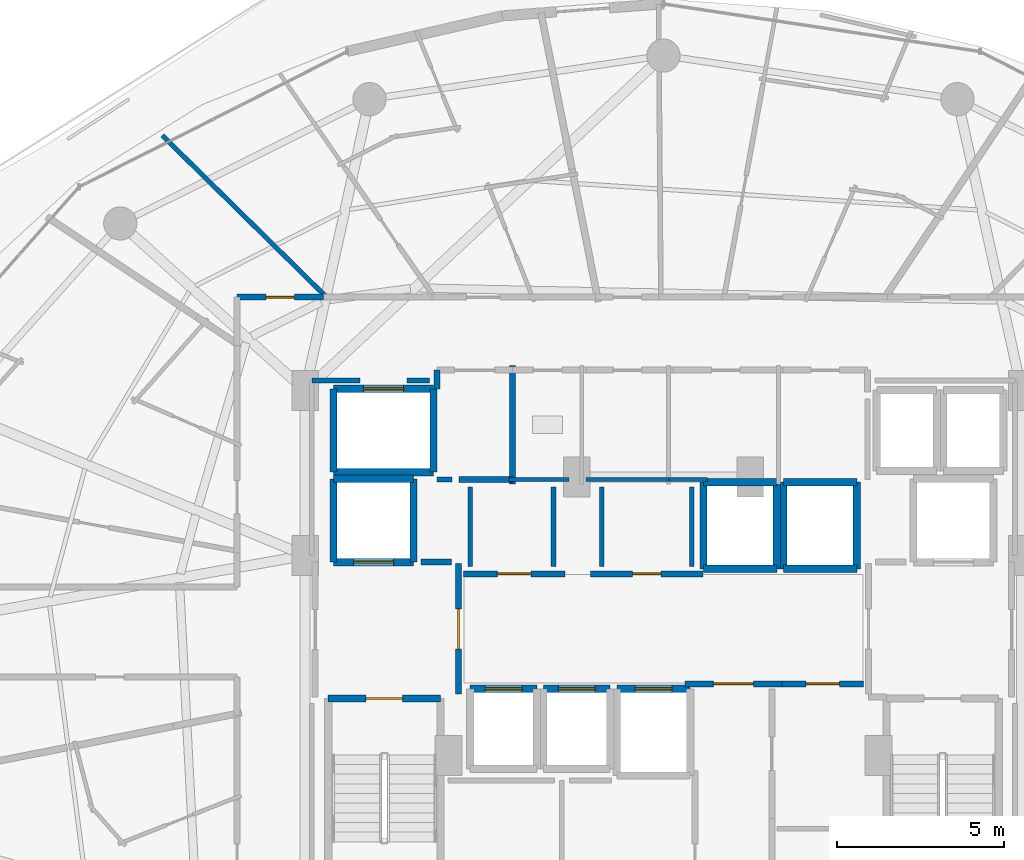
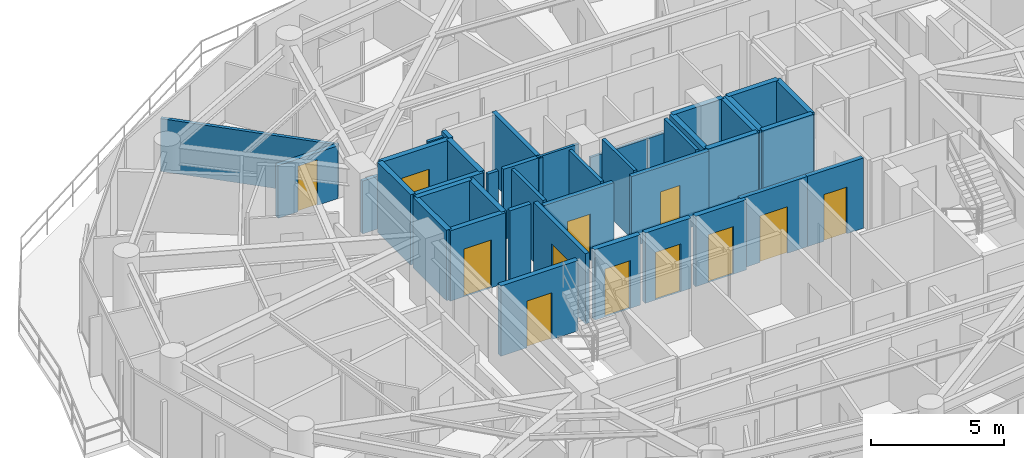
# One storey, part 23 of 30: 41 walls, 12 doors, 12 openings.
"""IFC4 building model written with IfcOpenShell, lengths in metres."""

from ifc_helpers import new_model, si_unit, direction, frame, frame_2d, origin, place, context, subcontext, project, spatial, rectangle, extrude, material, layer, layer_set, type_object, element, fill, save


model = new_model("IFC4")

# Units and contexts
model_context = context("Model", 3, precision=1e-05, world=origin(), true_north=direction((0.0, 1.0)))
body_context = subcontext(model_context, "Body", "Model", "MODEL_VIEW")
ifc_project = project(units=[si_unit("LENGTHUNIT", "METRE"), si_unit("AREAUNIT", "SQUARE_METRE"), si_unit("VOLUMEUNIT", "CUBIC_METRE"), si_unit("PLANEANGLEUNIT", "RADIAN"), si_unit("MASSUNIT", "GRAM", prefix="KILO")], contexts=[model_context])

# Site, building, storey
site_placement = place(None, origin())
site = spatial("IfcSite", under=ifc_project, at=site_placement, CompositionType="ELEMENT")
building_placement = place(site_placement, origin())
building = spatial("IfcBuilding", under=site, at=building_placement, Name="Vorneva Point Tower", CompositionType="ELEMENT")
storey_placement = place(building_placement, frame((0.0, 0.0, 157.10009765625)))
storey = spatial("IfcBuildingStorey", under=building, at=storey_placement, Name="L42", CompositionType="ELEMENT", Elevation=157.10009765625)

# Wall, opening, door
ifc_material_1 = material(Name="Concrete B60 (C50/60)", Category="concrete")
ifc_layer_1 = layer(ifc_material_1, 0.5)
ifc_layer_set_1 = layer_set([ifc_layer_1], Name="Concrete B60 (C50/60)")
wall_type_1 = type_object("IfcWallType", Name="WL-CORE-500", PredefinedType="SHEAR", material=ifc_layer_set_1)
wall_1_placement = place(storey_placement, frame((28.10009765625, 28.0, 0.0), z_axis=(0.0, 0.0, 1.0), x_axis=(1.0, 0.0, 0.0)))
wall_1 = element("IfcWall", 1, at=wall_1_placement, inside=storey, type_object=wall_type_1, Name="L42 Lift FFL1 Shaft Wall -Y", PredefinedType="SHEAR", context=body_context, shape_type="SweptSolid", body=[
    extrude(rectangle(XDim=2.39990234375, YDim=0.219970703125, at=frame_2d((1.199951171875, 0.0))), origin(), (0.0, 0.0, 1.0), 3.239990234375),
])
opening_1_placement = place(wall_1_placement, frame((0.60009765625, 0.0, 0.0)))
opening_1 = element("IfcOpeningElement", 2, at=opening_1_placement, cuts=wall_1, Name="Opening LD-02", PredefinedType="OPENING", context=body_context, shape_type="SweptSolid", body=[
    extrude(rectangle(XDim=1.199951171875, YDim=2.199951171875, at=frame_2d((0.60009765625, 1.10009765625))), frame((0.0, 0.125, 0.0), z_axis=(0.0, -1.0, 0.0), x_axis=(1.0, 0.0, 0.0)), (0.0, 0.0, 1.0), 0.249755859375),
])
ifc_material_2 = material(Name="Brushed stainless steel S304", Category="steel")
door_type_1 = type_object("IfcDoorType", Name="LD-FIRE-1200", OperationType="SLIDING_TO_LEFT", PredefinedType="DOOR", material=ifc_material_2)
door_1_placement = place(opening_1_placement, origin())
door_1 = element("IfcDoor", 3, at=door_1_placement, inside=storey, type_object=door_type_1, Name="L42 Lift FFL1 Sliding Landing Door", OperationType="SLIDING_TO_LEFT", OverallHeight=2.199951171875, OverallWidth=1.199951171875, PredefinedType="DOOR", context=body_context, shape_type="SweptSolid", body=[
    extrude(rectangle(XDim=1.199951171875, YDim=2.199951171875, at=frame_2d((0.60009765625, 1.10009765625))), frame((0.0, 0.02490234375, 0.0), z_axis=(0.0, -1.0, 0.0), x_axis=(1.0, 0.0, 0.0)), (0.0, 0.0, 1.0), 0.050048828125),
])
fill(opening_1, door_1)

# Walls
wall_2_placement = place(storey_placement, frame((30.5, 28.0, 0.0), z_axis=(0.0, 0.0, 1.0), x_axis=(0.0, 1.0, 0.0)))
element("IfcWall", 4, at=wall_2_placement, inside=storey, type_object=wall_type_1, Name="L42 Lift FFL1 Shaft Wall +X", PredefinedType="SHEAR", context=body_context, shape_type="SweptSolid", body=[
    extrude(rectangle(XDim=2.5, YDim=0.219970703125, at=frame_2d((1.25, 0.0))), origin(), (0.0, 0.0, 1.0), 3.239990234375),
])
wall_3_placement = place(storey_placement, frame((30.5, 30.5, 0.0), z_axis=(0.0, 0.0, 1.0), x_axis=(-1.0, 0.0, 0.0)))
element("IfcWall", 5, at=wall_3_placement, inside=storey, type_object=wall_type_1, Name="L42 Lift FFL1 Shaft Wall +Y", PredefinedType="SHEAR", context=body_context, shape_type="SweptSolid", body=[
    extrude(rectangle(XDim=2.39990234375, YDim=0.219970703125, at=frame_2d((1.199951171875, 0.0))), origin(), (0.0, 0.0, 1.0), 3.239990234375),
])
wall_4_placement = place(storey_placement, frame((28.10009765625, 30.5, 0.0), z_axis=(0.0, 0.0, 1.0), x_axis=(0.0, -1.0, 0.0)))
element("IfcWall", 6, at=wall_4_placement, inside=storey, type_object=wall_type_1, Name="L42 Lift FFL1 Shaft Wall -X", PredefinedType="SHEAR", context=body_context, shape_type="SweptSolid", body=[
    extrude(rectangle(XDim=2.5, YDim=0.219970703125, at=frame_2d((1.25, 0.0))), origin(), (0.0, 0.0, 1.0), 3.239990234375),
])
ifc_material_3 = material(Name="Fire-rated acoustic gypsum stud partition", Category="gypsum")
ifc_layer_2 = layer(ifc_material_3, 0.110107421875)
ifc_layer_set_2 = layer_set([ifc_layer_2], Name="Fire-rated acoustic gypsum stud partition")
wall_type_2 = type_object("IfcWallType", Name="WL-PART-110", PredefinedType="PARTITIONING", material=ifc_layer_set_2)
wall_5_placement = place(storey_placement, frame((33.360107421875, 30.47998046875, 0.0), z_axis=(0.0, 0.0, 1.0), x_axis=(1.0, 0.0, 0.0)))
element("IfcWall", 7, at=wall_5_placement, inside=storey, type_object=wall_type_2, Name="L42 Interior Partition 021", PredefinedType="PARTITIONING", context=body_context, shape_type="SweptSolid", body=[
    extrude(rectangle(XDim=1.809814453125, YDim=0.110107421875, at=frame_2d((0.90478515625, 0.0))), origin(), (0.0, 0.0, 1.0), 3.239990234375),
])
wall_6_placement = place(storey_placement, frame((35.679931640625, 30.47998046875, 0.0), z_axis=(0.0, 0.0, 1.0), x_axis=(1.0, 0.0, 0.0)))
element("IfcWall", 8, at=wall_6_placement, inside=storey, type_object=wall_type_2, Name="L42 Interior Partition 024", PredefinedType="PARTITIONING", context=body_context, shape_type="SweptSolid", body=[
    extrude(rectangle(XDim=2.594970703125, YDim=0.110107421875, at=frame_2d((1.29736328125, 0.0))), origin(), (0.0, 0.0, 1.0), 2.431884765625),
])
wall_7_placement = place(storey_placement, frame((38.1650390625, 30.47998046875, 0.0), z_axis=(0.0, 0.0, 1.0), x_axis=(1.0, 0.0, 0.0)))
element("IfcWall", 9, at=wall_7_placement, inside=storey, type_object=wall_type_2, Name="L42 Interior Partition 027", PredefinedType="PARTITIONING", context=body_context, shape_type="SweptSolid", body=[
    extrude(rectangle(XDim=1.155029296875, YDim=0.110107421875, at=frame_2d((0.57763671875, 0.0))), origin(), (0.0, 0.0, 1.0), 2.431884765625),
])
ifc_layer_3 = layer(ifc_material_3, 0.139892578125)
ifc_layer_set_3 = layer_set([ifc_layer_3], Name="Fire-rated acoustic gypsum stud partition")
wall_type_3 = type_object("IfcWallType", Name="WL-PART-140", PredefinedType="PARTITIONING", material=ifc_layer_set_3)
wall_8_placement = place(storey_placement, frame((22.9599609375, 40.805908203125, 0.0), z_axis=(0.0, 0.0, 1.0), x_axis=(0.712587980465, -0.70158276069, 0.0)))
element("IfcWall", 10, at=wall_8_placement, inside=storey, type_object=wall_type_3, Name="L42 Interior Partition 102", PredefinedType="PARTITIONING", context=body_context, shape_type="SweptSolid", body=[
    extrude(rectangle(XDim=6.92138671875, YDim=0.139892578125, at=frame_2d((3.460693359375, 0.0))), origin(), (0.0, 0.0, 1.0), 2.431884765625),
])
wall_9_placement = place(storey_placement, frame((31.199951171875, 30.47998046875, 0.0), z_axis=(0.0, 0.0, 1.0), x_axis=(1.0, 0.0, 0.0)))
element("IfcWall", 11, at=wall_9_placement, inside=storey, type_object=wall_type_3, Name="L42 Interior Closure Partition 146", PredefinedType="PARTITIONING", context=body_context, shape_type="SweptSolid", body=[
    extrude(rectangle(XDim=0.449951171875, YDim=0.139892578125, at=frame_2d((0.22509765625, 0.0))), origin(), (0.0, 0.0, 1.0), 3.239990234375),
])
for number, where, z_axis, x_axis, name in (
    (12, (32.199951171875, 30.260009765625, 0.0), (0.0, 0.0, 1.0), (0.0, -1.0, 0.0), "L42 Interior Closure Partition 150"),
    (13, (34.699951171875, 27.8701171875, 0.0), (0.0, 0.0, 1.0), (0.0, 1.0, 0.0), "L42 Interior Closure Partition 151"),
    (14, (36.14990234375, 30.260009765625, 0.0), (0.0, 0.0, 1.0), (0.0, -1.0, 0.0), "L42 Interior Closure Partition 152"),
    (15, (38.85009765625, 27.8701171875, 0.0), (0.0, 0.0, 1.0), (0.0, 1.0, 0.0), "L42 Interior Closure Partition 153"),
):
    element("IfcWall", number, at=place(storey_placement, frame(where, z_axis=z_axis, x_axis=x_axis)), inside=storey, type_object=wall_type_3, Name=name, PredefinedType="PARTITIONING", context=body_context, shape_type="SweptSolid", body=[
        extrude(rectangle(XDim=2.389892578125, YDim=0.139892578125, at=frame_2d((1.19482421875, 0.0))), origin(), (0.0, 0.0, 1.0), 3.239990234375),
    ])
wall_10_placement = place(storey_placement, frame((30.97998046875, 33.449951171875, 0.0), z_axis=(0.0, 0.0, 1.0), x_axis=(-1.0, 0.0, 0.0)))
element("IfcWall", 16, at=wall_10_placement, inside=storey, type_object=wall_type_3, Name="L42 Interior Closure Partition 156", PredefinedType="PARTITIONING", context=body_context, shape_type="SweptSolid", body=[
    extrude(rectangle(XDim=0.674072265625, YDim=0.139892578125, at=frame_2d((0.3369140625, 0.0))), origin(), (0.0, 0.0, 1.0), 3.239990234375),
])
wall_11_placement = place(storey_placement, frame((28.89404296875, 33.449951171875, 0.0), z_axis=(0.0, 0.0, 1.0), x_axis=(-1.0, 0.0, 0.0)))
element("IfcWall", 17, at=wall_11_placement, inside=storey, type_object=wall_type_3, Name="L42 Interior Closure Partition 157", PredefinedType="PARTITIONING", context=body_context, shape_type="SweptSolid", body=[
    extrude(rectangle(XDim=1.444091796875, YDim=0.139892578125, at=frame_2d((0.72216796875, 0.0))), origin(), (0.0, 0.0, 1.0), 2.431884765625),
])

# Wall, opening, door
ifc_material_4 = material(Name="Autoclaved aerated concrete blockwork", Category="masonry")
ifc_layer_4 = layer(ifc_material_4, 0.179931640625)
ifc_layer_set_4 = layer_set([ifc_layer_4], Name="Autoclaved aerated concrete blockwork")
wall_type_4 = type_object("IfcWallType", Name="WL-PART-180", PredefinedType="PARTITIONING", material=ifc_layer_set_4)
wall_12_placement = place(storey_placement, frame((31.85009765625, 24.044921875, 0.0), z_axis=(0.0, 0.0, 1.0), x_axis=(0.0, 1.0, 0.0)))
wall_12 = element("IfcWall", 18, at=wall_12_placement, inside=storey, type_object=wall_type_4, Name="L42 Interior Partition 001", PredefinedType="PARTITIONING", context=body_context, shape_type="SweptSolid", body=[
    extrude(rectangle(XDim=3.91015625, YDim=0.179931640625, at=frame_2d((1.955078125, 0.0))), origin(), (0.0, 0.0, 1.0), 3.239990234375),
])
opening_2_placement = place(wall_12_placement, frame((1.35498046875, 0.0, 0.0)))
opening_2 = element("IfcOpeningElement", 19, at=opening_2_placement, cuts=wall_12, Name="Opening FD-02", PredefinedType="OPENING", context=body_context, shape_type="SweptSolid", body=[
    extrude(rectangle(XDim=1.199951171875, YDim=2.14990234375, at=frame_2d((0.60009765625, 1.074951171875))), frame((0.0, 0.10498046875, 0.0), z_axis=(0.0, -1.0, 0.0), x_axis=(1.0, 0.0, 0.0)), (0.0, 0.0, 1.0), 0.209716796875),
])
ifc_material_5 = material(Name="Fire-rated powder-coated steel", Category="steel")
door_type_2 = type_object("IfcDoorType", Name="DR-FFL-1200", OperationType="NOTDEFINED", PredefinedType="DOOR", material=ifc_material_5)
door_2_placement = place(opening_2_placement, origin())
door_2 = element("IfcDoor", 20, at=door_2_placement, inside=storey, type_object=door_type_2, Name="L42 Door West Firefighting Lobby / Central Lift Lobby", OperationType="SINGLE_SWING_RIGHT", OverallHeight=2.14990234375, OverallWidth=1.199951171875, PredefinedType="DOOR", context=body_context, shape_type="SweptSolid", body=[
    extrude(rectangle(XDim=1.199951171875, YDim=2.14990234375, at=frame_2d((0.60009765625, 1.074951171875))), frame((0.0, 0.02490234375, 0.0), z_axis=(0.0, -1.0, 0.0), x_axis=(1.0, 0.0, 0.0)), (0.0, 0.0, 1.0), 0.050048828125),
])
fill(opening_2, door_2)

# Walls
wall_13_placement = place(storey_placement, frame((33.469970703125, 30.340087890625, 0.0), z_axis=(0.0, 0.0, 1.0), x_axis=(0.0, 1.0, 0.0)))
element("IfcWall", 21, at=wall_13_placement, inside=storey, type_object=wall_type_4, Name="L42 Interior Partition 006", PredefinedType="PARTITIONING", context=body_context, shape_type="SweptSolid", body=[
    extrude(rectangle(XDim=3.559814453125, YDim=0.179931640625, at=frame_2d((1.77978515625, 0.0))), origin(), (0.0, 0.0, 1.0), 3.239990234375),
])
wall_14_placement = place(storey_placement, frame((31.8701171875, 30.47998046875, 0.0), z_axis=(0.0, 0.0, 1.0), x_axis=(1.0, 0.0, 0.0)))
element("IfcWall", 22, at=wall_14_placement, inside=storey, type_object=wall_type_4, Name="L42 Interior Partition 007", PredefinedType="PARTITIONING", context=body_context, shape_type="SweptSolid", body=[
    extrude(rectangle(XDim=1.599853515625, YDim=0.179931640625, at=frame_2d((0.7998046875, 0.0))), origin(), (0.0, 0.0, 1.0), 3.239990234375),
])
wall_15_placement = place(storey_placement, frame((31.199951171875, 33.760009765625, 0.0), z_axis=(0.0, 0.0, 1.0), x_axis=(0.0, -1.0, 0.0)))
element("IfcWall", 23, at=wall_15_placement, inside=storey, type_object=wall_type_4, Name="L42 Interior Partition 009", PredefinedType="PARTITIONING", context=body_context, shape_type="SweptSolid", body=[
    extrude(rectangle(XDim=0.56005859375, YDim=0.179931640625, at=frame_2d((0.280029296875, 0.0))), origin(), (0.0, 0.0, 1.0), 3.239990234375),
])

# Wall, opening, door
wall_16_placement = place(storey_placement, frame((38.64501953125, 24.35009765625, 0.0), z_axis=(0.0, 0.0, 1.0), x_axis=(1.0, 0.0, 0.0)))
wall_16 = element("IfcWall", 24, at=wall_16_placement, inside=storey, type_object=wall_type_4, Name="L42 Interior Partition 010", PredefinedType="PARTITIONING", context=body_context, shape_type="SweptSolid", body=[
    extrude(rectangle(XDim=2.909912109375, YDim=0.179931640625, at=frame_2d((1.455078125, 0.0))), origin(), (0.0, 0.0, 1.0), 3.239990234375),
])
opening_3_placement = place(wall_16_placement, frame((0.85498046875, 0.0, 0.0)))
opening_3 = element("IfcOpeningElement", 25, at=opening_3_placement, cuts=wall_16, Name="Opening FD-02", PredefinedType="OPENING", context=body_context, shape_type="SweptSolid", body=[
    extrude(rectangle(XDim=1.199951171875, YDim=2.14990234375, at=frame_2d((0.60009765625, 1.074951171875))), frame((0.0, 0.10498046875, 0.0), z_axis=(0.0, -1.0, 0.0), x_axis=(1.0, 0.0, 0.0)), (0.0, 0.0, 1.0), 0.209716796875),
])
door_3_placement = place(opening_3_placement, origin())
door_3 = element("IfcDoor", 26, at=door_3_placement, inside=storey, type_object=door_type_2, Name="L42 Door Central Lift Lobby / Core Service Lobby", OperationType="SINGLE_SWING_LEFT", OverallHeight=2.14990234375, OverallWidth=1.199951171875, PredefinedType="DOOR", context=body_context, shape_type="SweptSolid", body=[
    extrude(rectangle(XDim=1.199951171875, YDim=2.14990234375, at=frame_2d((0.60009765625, 1.074951171875))), frame((0.0, 0.02490234375, 0.0), z_axis=(0.0, -1.0, 0.0), x_axis=(1.0, 0.0, 0.0)), (0.0, 0.0, 1.0), 0.050048828125),
])
fill(opening_3, door_3)

wall_17_placement = place(storey_placement, frame((41.554931640625, 24.35009765625, 0.0), z_axis=(0.0, 0.0, 1.0), x_axis=(1.0, 0.0, 0.0)))
wall_17 = element("IfcWall", 27, at=wall_17_placement, inside=storey, type_object=wall_type_4, Name="L42 Interior Partition 011", PredefinedType="PARTITIONING", context=body_context, shape_type="SweptSolid", body=[
    extrude(rectangle(XDim=2.445068359375, YDim=0.179931640625, at=frame_2d((1.22265625, 0.0))), origin(), (0.0, 0.0, 1.0), 3.239990234375),
])
opening_4_placement = place(wall_17_placement, frame((0.722412109375, 0.0, 0.0)))
opening_4 = element("IfcOpeningElement", 28, at=opening_4_placement, cuts=wall_17, Name="Opening UD-01", PredefinedType="OPENING", context=body_context, shape_type="SweptSolid", body=[
    extrude(rectangle(XDim=1.0, YDim=2.14990234375, at=frame_2d((0.5, 1.074951171875))), frame((0.0, 0.10498046875, 0.0), z_axis=(0.0, -1.0, 0.0), x_axis=(1.0, 0.0, 0.0)), (0.0, 0.0, 1.0), 0.209716796875),
])
ifc_material_6 = material(Name="Engineered oak fire-rated door leaf", Category="wood")
door_type_3 = type_object("IfcDoorType", Name="DR-UNIT-1000", OperationType="NOTDEFINED", PredefinedType="DOOR", material=ifc_material_6)
door_4_placement = place(opening_4_placement, origin())
door_4 = element("IfcDoor", 29, at=door_4_placement, inside=storey, type_object=door_type_3, Name="L42 Door Central Lift Lobby / Floor Management Office", OperationType="SINGLE_SWING_RIGHT", OverallHeight=2.14990234375, OverallWidth=1.0, PredefinedType="DOOR", context=body_context, shape_type="SweptSolid", body=[
    extrude(rectangle(XDim=1.0, YDim=2.14990234375, at=frame_2d((0.5, 1.074951171875))), frame((0.0, 0.02490234375, 0.0), z_axis=(0.0, -1.0, 0.0), x_axis=(1.0, 0.0, 0.0)), (0.0, 0.0, 1.0), 0.050048828125),
])
fill(opening_4, door_4)

wall_18_placement = place(storey_placement, frame((35.0400390625, 27.64990234375, 0.0), z_axis=(0.0, 0.0, 1.0), x_axis=(-1.0, 0.0, 0.0)))
wall_18 = element("IfcWall", 30, at=wall_18_placement, inside=storey, type_object=wall_type_4, Name="L42 Interior Partition 012", PredefinedType="PARTITIONING", context=body_context, shape_type="SweptSolid", body=[
    extrude(rectangle(XDim=3.0400390625, YDim=0.179931640625, at=frame_2d((1.52001953125, 0.0))), origin(), (0.0, 0.0, 1.0), 3.239990234375),
])
opening_5_placement = place(wall_18_placement, frame((1.02001953125, 0.0, 0.0)))
opening_5 = element("IfcOpeningElement", 31, at=opening_5_placement, cuts=wall_18, Name="Opening UD-01", PredefinedType="OPENING", context=body_context, shape_type="SweptSolid", body=[
    extrude(rectangle(XDim=1.0, YDim=2.14990234375, at=frame_2d((0.5, 1.074951171875))), frame((0.0, 0.10498046875, 0.0), z_axis=(0.0, -1.0, 0.0), x_axis=(1.0, 0.0, 0.0)), (0.0, 0.0, 1.0), 0.209716796875),
])
door_5_placement = place(opening_5_placement, origin())
door_5 = element("IfcDoor", 32, at=door_5_placement, inside=storey, type_object=door_type_3, Name="L42 Door Central Lift Lobby / Reclaimed Core Lounge", OperationType="SINGLE_SWING_LEFT", OverallHeight=2.14990234375, OverallWidth=1.0, PredefinedType="DOOR", context=body_context, shape_type="SweptSolid", body=[
    extrude(rectangle(XDim=1.0, YDim=2.14990234375, at=frame_2d((0.5, 1.074951171875))), frame((0.0, 0.02490234375, 0.0), z_axis=(0.0, -1.0, 0.0), x_axis=(1.0, 0.0, 0.0)), (0.0, 0.0, 1.0), 0.050048828125),
])
fill(opening_5, door_5)

wall_19_placement = place(storey_placement, frame((39.18994140625, 27.64990234375, 0.0), z_axis=(0.0, 0.0, 1.0), x_axis=(-1.0, 0.0, 0.0)))
wall_19 = element("IfcWall", 33, at=wall_19_placement, inside=storey, type_object=wall_type_4, Name="L42 Interior Partition 013", PredefinedType="PARTITIONING", context=body_context, shape_type="SweptSolid", body=[
    extrude(rectangle(XDim=3.3798828125, YDim=0.179931640625, at=frame_2d((1.68994140625, 0.0))), origin(), (0.0, 0.0, 1.0), 3.239990234375),
])
opening_6_placement = place(wall_19_placement, frame((1.264892578125, 0.0, 0.0)))
opening_6 = element("IfcOpeningElement", 34, at=opening_6_placement, cuts=wall_19, Name="Opening ID-02", PredefinedType="OPENING", context=body_context, shape_type="SweptSolid", body=[
    extrude(rectangle(XDim=0.85009765625, YDim=2.10009765625, at=frame_2d((0.425048828125, 1.050048828125))), frame((0.0, 0.10498046875, 0.0), z_axis=(0.0, -1.0, 0.0), x_axis=(1.0, 0.0, 0.0)), (0.0, 0.0, 1.0), 0.209716796875),
])
door_type_4 = type_object("IfcDoorType", Name="DR-BATH-850", OperationType="NOTDEFINED", PredefinedType="DOOR", material=ifc_material_6)
door_6_placement = place(opening_6_placement, origin())
door_6 = element("IfcDoor", 35, at=door_6_placement, inside=storey, type_object=door_type_4, Name="L42 Door Central Lift Lobby / Reclaimed Core Archive Store", OperationType="SINGLE_SWING_RIGHT", OverallHeight=2.10009765625, OverallWidth=0.85009765625, PredefinedType="DOOR", context=body_context, shape_type="SweptSolid", body=[
    extrude(rectangle(XDim=0.85009765625, YDim=2.10009765625, at=frame_2d((0.425048828125, 1.050048828125))), frame((0.0, 0.02490234375, 0.0), z_axis=(0.0, -1.0, 0.0), x_axis=(1.0, 0.0, 0.0)), (0.0, 0.0, 1.0), 0.050048828125),
])
fill(opening_6, door_6)

wall_20_placement = place(storey_placement, frame((27.805908203125, 35.949951171875, 0.0), z_axis=(0.0, 0.0, 1.0), x_axis=(-1.0, 0.0, 0.0)))
wall_20 = element("IfcWall", 36, at=wall_20_placement, inside=storey, type_object=wall_type_4, Name="L42 Interior Partition 046", PredefinedType="PARTITIONING", context=body_context, shape_type="SweptSolid", body=[
    extrude(rectangle(XDim=2.60595703125, YDim=0.179931640625, at=frame_2d((1.302978515625, 0.0))), origin(), (0.0, 0.0, 1.0), 2.431884765625),
])
opening_7_placement = place(wall_20_placement, frame((0.8779296875, 0.0, 0.0)))
opening_7 = element("IfcOpeningElement", 37, at=opening_7_placement, cuts=wall_20, Name="Opening ID-02", PredefinedType="OPENING", context=body_context, shape_type="SweptSolid", body=[
    extrude(rectangle(XDim=0.85009765625, YDim=2.10009765625, at=frame_2d((0.425048828125, 1.050048828125))), frame((0.0, 0.10498046875, 0.0), z_axis=(0.0, -1.0, 0.0), x_axis=(1.0, 0.0, 0.0)), (0.0, 0.0, 1.0), 0.209716796875),
])
door_7_placement = place(opening_7_placement, origin())
door_7 = element("IfcDoor", 38, at=door_7_placement, inside=storey, type_object=door_type_4, Name="L42 Access Door L42 Circulation Corridor", OperationType="SINGLE_SWING_LEFT", OverallHeight=2.10009765625, OverallWidth=0.85009765625, PredefinedType="DOOR", context=body_context, shape_type="SweptSolid", body=[
    extrude(rectangle(XDim=0.85009765625, YDim=2.10009765625, at=frame_2d((0.425048828125, 1.050048828125))), frame((0.0, 0.02490234375, 0.0), z_axis=(0.0, -1.0, 0.0), x_axis=(1.0, 0.0, 0.0)), (0.0, 0.0, 1.0), 0.050048828125),
])
fill(opening_7, door_7)

# Wall
wall_21_placement = place(storey_placement, frame((31.635009765625, 28.0, 0.0), z_axis=(0.0, 0.0, 1.0), x_axis=(-1.0, 0.0, 0.0)))
element("IfcWall", 39, at=wall_21_placement, inside=storey, type_object=wall_type_4, Name="L42 Interior Closure Partition 144", PredefinedType="PARTITIONING", context=body_context, shape_type="SweptSolid", body=[
    extrude(rectangle(XDim=0.9150390625, YDim=0.179931640625, at=frame_2d((0.45751953125, 0.0))), origin(), (0.0, 0.0, 1.0), 3.239990234375),
])

# Wall, opening, door
ifc_material_7 = material(Name="Concrete B50 (C40/50)", Category="concrete")
ifc_layer_5 = layer(ifc_material_7, 0.219970703125)
ifc_layer_set_5 = layer_set([ifc_layer_5], Name="Concrete B50 (C40/50)")
wall_type_5 = type_object("IfcWallType", Name="WL-SHFT-220", PredefinedType="SOLIDWALL", material=ifc_layer_set_5)
wall_22_placement = place(storey_placement, frame((27.93994140625, 23.909912109375, 0.0), z_axis=(0.0, 0.0, 1.0), x_axis=(1.0, 0.0, 0.0)))
wall_22 = element("IfcWall", 40, at=wall_22_placement, inside=storey, type_object=wall_type_5, Name="L42 Exit Stair ST1 Shaft Wall near", PredefinedType="SOLIDWALL", context=body_context, shape_type="SweptSolid", body=[
    extrude(rectangle(XDim=3.3701171875, YDim=0.219970703125, at=frame_2d((1.68505859375, 0.0))), origin(), (0.0, 0.0, 1.0), 3.239990234375),
])
opening_8_placement = place(wall_22_placement, frame((1.135009765625, 0.0, 0.0)))
opening_8 = element("IfcOpeningElement", 41, at=opening_8_placement, cuts=wall_22, Name="Opening FD-01", PredefinedType="OPENING", context=body_context, shape_type="SweptSolid", body=[
    extrude(rectangle(XDim=1.10009765625, YDim=2.14990234375, at=frame_2d((0.550048828125, 1.074951171875))), frame((0.0, 0.125, 0.0), z_axis=(0.0, -1.0, 0.0), x_axis=(1.0, 0.0, 0.0)), (0.0, 0.0, 1.0), 0.249755859375),
])
door_type_5 = type_object("IfcDoorType", Name="DR-STAIR-1100", OperationType="NOTDEFINED", PredefinedType="DOOR", material=ifc_material_5)
door_8_placement = place(opening_8_placement, origin())
door_8 = element("IfcDoor", 42, at=door_8_placement, inside=storey, type_object=door_type_5, Name="L42 Exit Stair ST1 Fire Door", OperationType="SINGLE_SWING_RIGHT", OverallHeight=2.14990234375, OverallWidth=1.10009765625, PredefinedType="DOOR", context=body_context, shape_type="SweptSolid", body=[
    extrude(rectangle(XDim=1.10009765625, YDim=2.14990234375, at=frame_2d((0.550048828125, 1.074951171875))), frame((0.0, 0.02490234375, 0.0), z_axis=(0.0, -1.0, 0.0), x_axis=(1.0, 0.0, 0.0)), (0.0, 0.0, 1.0), 0.050048828125),
])
fill(opening_8, door_8)

wall_23_placement = place(storey_placement, frame((34.199951171875, 24.199951171875, 0.0), z_axis=(0.0, 0.0, 1.0), x_axis=(-1.0, 0.0, 0.0)))
wall_23 = element("IfcWall", 43, at=wall_23_placement, inside=storey, type_object=wall_type_5, Name="L42 Lift PL4 Shaft Wall +Y", PredefinedType="SOLIDWALL", context=body_context, shape_type="SweptSolid", body=[
    extrude(rectangle(XDim=2.0, YDim=0.219970703125, at=frame_2d((1.0, 0.0))), origin(), (0.0, 0.0, 1.0), 3.239990234375),
])
opening_9_placement = place(wall_23_placement, frame((0.449951171875, 0.0, 0.0)))
opening_9 = element("IfcOpeningElement", 44, at=opening_9_placement, cuts=wall_23, Name="Opening LD-01", PredefinedType="OPENING", context=body_context, shape_type="SweptSolid", body=[
    extrude(rectangle(XDim=1.10009765625, YDim=2.199951171875, at=frame_2d((0.550048828125, 1.10009765625))), frame((0.0, 0.125, 0.0), z_axis=(0.0, -1.0, 0.0), x_axis=(1.0, 0.0, 0.0)), (0.0, 0.0, 1.0), 0.249755859375),
])
door_type_6 = type_object("IfcDoorType", Name="LD-PASS-1100", OperationType="SLIDING_TO_LEFT", PredefinedType="DOOR", material=ifc_material_2)
door_9_placement = place(opening_9_placement, origin())
door_9 = element("IfcDoor", 45, at=door_9_placement, inside=storey, type_object=door_type_6, Name="L42 Lift PL4 Sliding Landing Door", OperationType="SLIDING_TO_LEFT", OverallHeight=2.199951171875, OverallWidth=1.10009765625, PredefinedType="DOOR", context=body_context, shape_type="SweptSolid", body=[
    extrude(rectangle(XDim=1.10009765625, YDim=2.199951171875, at=frame_2d((0.550048828125, 1.10009765625))), frame((0.0, 0.02490234375, 0.0), z_axis=(0.0, -1.0, 0.0), x_axis=(1.0, 0.0, 0.0)), (0.0, 0.0, 1.0), 0.050048828125),
])
fill(opening_9, door_9)

wall_24_placement = place(storey_placement, frame((36.39990234375, 24.199951171875, 0.0), z_axis=(0.0, 0.0, 1.0), x_axis=(-1.0, 0.0, 0.0)))
wall_24 = element("IfcWall", 46, at=wall_24_placement, inside=storey, type_object=wall_type_5, Name="L42 Lift PL5 Shaft Wall +Y", PredefinedType="SOLIDWALL", context=body_context, shape_type="SweptSolid", body=[
    extrude(rectangle(XDim=2.0, YDim=0.219970703125, at=frame_2d((1.0, 0.0))), origin(), (0.0, 0.0, 1.0), 3.239990234375),
])
opening_10_placement = place(wall_24_placement, frame((0.449951171875, 0.0, 0.0)))
opening_10 = element("IfcOpeningElement", 47, at=opening_10_placement, cuts=wall_24, Name="Opening LD-01", PredefinedType="OPENING", context=body_context, shape_type="SweptSolid", body=[
    extrude(rectangle(XDim=1.10009765625, YDim=2.199951171875, at=frame_2d((0.550048828125, 1.10009765625))), frame((0.0, 0.125, 0.0), z_axis=(0.0, -1.0, 0.0), x_axis=(1.0, 0.0, 0.0)), (0.0, 0.0, 1.0), 0.249755859375),
])
door_10_placement = place(opening_10_placement, origin())
door_10 = element("IfcDoor", 48, at=door_10_placement, inside=storey, type_object=door_type_6, Name="L42 Lift PL5 Sliding Landing Door", OperationType="SLIDING_TO_LEFT", OverallHeight=2.199951171875, OverallWidth=1.10009765625, PredefinedType="DOOR", context=body_context, shape_type="SweptSolid", body=[
    extrude(rectangle(XDim=1.10009765625, YDim=2.199951171875, at=frame_2d((0.550048828125, 1.10009765625))), frame((0.0, 0.02490234375, 0.0), z_axis=(0.0, -1.0, 0.0), x_axis=(1.0, 0.0, 0.0)), (0.0, 0.0, 1.0), 0.050048828125),
])
fill(opening_10, door_10)

wall_25_placement = place(storey_placement, frame((38.800048828125, 24.199951171875, 0.0), z_axis=(0.0, 0.0, 1.0), x_axis=(-1.0, 0.0, 0.0)))
wall_25 = element("IfcWall", 49, at=wall_25_placement, inside=storey, type_object=wall_type_5, Name="L42 Lift PL6 Shaft Wall +Y", PredefinedType="SOLIDWALL", context=body_context, shape_type="SweptSolid", body=[
    extrude(rectangle(XDim=2.199951171875, YDim=0.219970703125, at=frame_2d((1.10009765625, 0.0))), origin(), (0.0, 0.0, 1.0), 3.239990234375),
])
opening_11_placement = place(wall_25_placement, frame((0.550048828125, 0.0, 0.0)))
opening_11 = element("IfcOpeningElement", 50, at=opening_11_placement, cuts=wall_25, Name="Opening LD-01", PredefinedType="OPENING", context=body_context, shape_type="SweptSolid", body=[
    extrude(rectangle(XDim=1.10009765625, YDim=2.199951171875, at=frame_2d((0.550048828125, 1.10009765625))), frame((0.0, 0.125, 0.0), z_axis=(0.0, -1.0, 0.0), x_axis=(1.0, 0.0, 0.0)), (0.0, 0.0, 1.0), 0.249755859375),
])
door_11_placement = place(opening_11_placement, origin())
door_11 = element("IfcDoor", 51, at=door_11_placement, inside=storey, type_object=door_type_6, Name="L42 Lift PL6 Sliding Landing Door", OperationType="SLIDING_TO_LEFT", OverallHeight=2.199951171875, OverallWidth=1.10009765625, PredefinedType="DOOR", context=body_context, shape_type="SweptSolid", body=[
    extrude(rectangle(XDim=1.10009765625, YDim=2.199951171875, at=frame_2d((0.550048828125, 1.10009765625))), frame((0.0, 0.02490234375, 0.0), z_axis=(0.0, -1.0, 0.0), x_axis=(1.0, 0.0, 0.0)), (0.0, 0.0, 1.0), 0.050048828125),
])
fill(opening_11, door_11)

# Walls
wall_26_placement = place(storey_placement, frame((39.199951171875, 27.800048828125, 0.0), z_axis=(0.0, 0.0, 1.0), x_axis=(1.0, 0.0, 0.0)))
element("IfcWall", 52, at=wall_26_placement, inside=storey, type_object=wall_type_5, Name="L42 Lift PL7 Shaft Wall -Y", PredefinedType="SOLIDWALL", context=body_context, shape_type="SweptSolid", body=[
    extrude(rectangle(XDim=2.199951171875, YDim=0.219970703125, at=frame_2d((1.10009765625, 0.0))), origin(), (0.0, 0.0, 1.0), 3.239990234375),
])
wall_27_placement = place(storey_placement, frame((41.39990234375, 27.800048828125, 0.0), z_axis=(0.0, 0.0, 1.0), x_axis=(0.0, 1.0, 0.0)))
element("IfcWall", 53, at=wall_27_placement, inside=storey, type_object=wall_type_5, Name="L42 Lift PL7 Shaft Wall +X", PredefinedType="SOLIDWALL", context=body_context, shape_type="SweptSolid", body=[
    extrude(rectangle(XDim=2.599853515625, YDim=0.219970703125, at=frame_2d((1.2998046875, 0.0))), origin(), (0.0, 0.0, 1.0), 3.239990234375),
])
wall_28_placement = place(storey_placement, frame((41.39990234375, 30.39990234375, 0.0), z_axis=(0.0, 0.0, 1.0), x_axis=(-1.0, 0.0, 0.0)))
element("IfcWall", 54, at=wall_28_placement, inside=storey, type_object=wall_type_5, Name="L42 Lift PL7 Shaft Wall +Y", PredefinedType="SOLIDWALL", context=body_context, shape_type="SweptSolid", body=[
    extrude(rectangle(XDim=2.199951171875, YDim=0.219970703125, at=frame_2d((1.10009765625, 0.0))), origin(), (0.0, 0.0, 1.0), 3.239990234375),
])
wall_29_placement = place(storey_placement, frame((39.199951171875, 30.39990234375, 0.0), z_axis=(0.0, 0.0, 1.0), x_axis=(0.0, -1.0, 0.0)))
element("IfcWall", 55, at=wall_29_placement, inside=storey, type_object=wall_type_5, Name="L42 Lift PL7 Shaft Wall -X", PredefinedType="SOLIDWALL", context=body_context, shape_type="SweptSolid", body=[
    extrude(rectangle(XDim=2.599853515625, YDim=0.219970703125, at=frame_2d((1.2998046875, 0.0))), origin(), (0.0, 0.0, 1.0), 3.239990234375),
])
wall_30_placement = place(storey_placement, frame((41.60009765625, 27.800048828125, 0.0), z_axis=(0.0, 0.0, 1.0), x_axis=(1.0, 0.0, 0.0)))
element("IfcWall", 56, at=wall_30_placement, inside=storey, type_object=wall_type_5, Name="L42 Lift PL8 Shaft Wall -Y", PredefinedType="SOLIDWALL", context=body_context, shape_type="SweptSolid", body=[
    extrude(rectangle(XDim=2.199951171875, YDim=0.219970703125, at=frame_2d((1.10009765625, 0.0))), origin(), (0.0, 0.0, 1.0), 3.239990234375),
])
wall_31_placement = place(storey_placement, frame((43.800048828125, 27.800048828125, 0.0), z_axis=(0.0, 0.0, 1.0), x_axis=(0.0, 1.0, 0.0)))
element("IfcWall", 57, at=wall_31_placement, inside=storey, type_object=wall_type_5, Name="L42 Lift PL8 Shaft Wall +X", PredefinedType="SOLIDWALL", context=body_context, shape_type="SweptSolid", body=[
    extrude(rectangle(XDim=2.599853515625, YDim=0.219970703125, at=frame_2d((1.2998046875, 0.0))), origin(), (0.0, 0.0, 1.0), 3.239990234375),
])
wall_32_placement = place(storey_placement, frame((43.800048828125, 30.39990234375, 0.0), z_axis=(0.0, 0.0, 1.0), x_axis=(-1.0, 0.0, 0.0)))
element("IfcWall", 58, at=wall_32_placement, inside=storey, type_object=wall_type_5, Name="L42 Lift PL8 Shaft Wall +Y", PredefinedType="SOLIDWALL", context=body_context, shape_type="SweptSolid", body=[
    extrude(rectangle(XDim=2.199951171875, YDim=0.219970703125, at=frame_2d((1.10009765625, 0.0))), origin(), (0.0, 0.0, 1.0), 3.239990234375),
])
wall_33_placement = place(storey_placement, frame((41.60009765625, 30.39990234375, 0.0), z_axis=(0.0, 0.0, 1.0), x_axis=(0.0, -1.0, 0.0)))
element("IfcWall", 59, at=wall_33_placement, inside=storey, type_object=wall_type_5, Name="L42 Lift PL8 Shaft Wall -X", PredefinedType="SOLIDWALL", context=body_context, shape_type="SweptSolid", body=[
    extrude(rectangle(XDim=2.599853515625, YDim=0.219970703125, at=frame_2d((1.2998046875, 0.0))), origin(), (0.0, 0.0, 1.0), 3.239990234375),
])
wall_34_placement = place(storey_placement, frame((28.10009765625, 30.699951171875, 0.0), z_axis=(0.0, 0.0, 1.0), x_axis=(1.0, 0.0, 0.0)))
element("IfcWall", 60, at=wall_34_placement, inside=storey, type_object=wall_type_5, Name="L42 Lift SVL1 Shaft Wall -Y", PredefinedType="SOLIDWALL", context=body_context, shape_type="SweptSolid", body=[
    extrude(rectangle(XDim=3.0, YDim=0.219970703125, at=frame_2d((1.5, 0.0))), origin(), (0.0, 0.0, 1.0), 3.239990234375),
])
wall_35_placement = place(storey_placement, frame((31.10009765625, 30.699951171875, 0.0), z_axis=(0.0, 0.0, 1.0), x_axis=(0.0, 1.0, 0.0)))
element("IfcWall", 61, at=wall_35_placement, inside=storey, type_object=wall_type_5, Name="L42 Lift SVL1 Shaft Wall +X", PredefinedType="SOLIDWALL", context=body_context, shape_type="SweptSolid", body=[
    extrude(rectangle(XDim=2.5, YDim=0.219970703125, at=frame_2d((1.25, 0.0))), origin(), (0.0, 0.0, 1.0), 3.239990234375),
])

# Wall, opening, door
wall_36_placement = place(storey_placement, frame((31.10009765625, 33.199951171875, 0.0), z_axis=(0.0, 0.0, 1.0), x_axis=(-1.0, 0.0, 0.0)))
wall_36 = element("IfcWall", 62, at=wall_36_placement, inside=storey, type_object=wall_type_5, Name="L42 Lift SVL1 Shaft Wall +Y", PredefinedType="SOLIDWALL", context=body_context, shape_type="SweptSolid", body=[
    extrude(rectangle(XDim=3.0, YDim=0.219970703125, at=frame_2d((1.5, 0.0))), origin(), (0.0, 0.0, 1.0), 3.239990234375),
])
opening_12_placement = place(wall_36_placement, frame((0.89990234375, 0.0, 0.0)))
opening_12 = element("IfcOpeningElement", 63, at=opening_12_placement, cuts=wall_36, Name="Opening LD-02", PredefinedType="OPENING", context=body_context, shape_type="SweptSolid", body=[
    extrude(rectangle(XDim=1.199951171875, YDim=2.199951171875, at=frame_2d((0.60009765625, 1.10009765625))), frame((0.0, 0.125, 0.0), z_axis=(0.0, -1.0, 0.0), x_axis=(1.0, 0.0, 0.0)), (0.0, 0.0, 1.0), 0.249755859375),
])
door_12_placement = place(opening_12_placement, origin())
door_12 = element("IfcDoor", 64, at=door_12_placement, inside=storey, type_object=door_type_1, Name="L42 Lift SVL1 Sliding Landing Door", OperationType="SLIDING_TO_LEFT", OverallHeight=2.199951171875, OverallWidth=1.199951171875, PredefinedType="DOOR", context=body_context, shape_type="SweptSolid", body=[
    extrude(rectangle(XDim=1.199951171875, YDim=2.199951171875, at=frame_2d((0.60009765625, 1.10009765625))), frame((0.0, 0.02490234375, 0.0), z_axis=(0.0, -1.0, 0.0), x_axis=(1.0, 0.0, 0.0)), (0.0, 0.0, 1.0), 0.050048828125),
])
fill(opening_12, door_12)

# Wall
wall_37_placement = place(storey_placement, frame((28.10009765625, 33.199951171875, 0.0), z_axis=(0.0, 0.0, 1.0), x_axis=(0.0, -1.0, 0.0)))
element("IfcWall", 65, at=wall_37_placement, inside=storey, type_object=wall_type_5, Name="L42 Lift SVL1 Shaft Wall -X", PredefinedType="SOLIDWALL", context=body_context, shape_type="SweptSolid", body=[
    extrude(rectangle(XDim=2.5, YDim=0.219970703125, at=frame_2d((1.25, 0.0))), origin(), (0.0, 0.0, 1.0), 3.239990234375),
])

save(model, "model.ifc")
